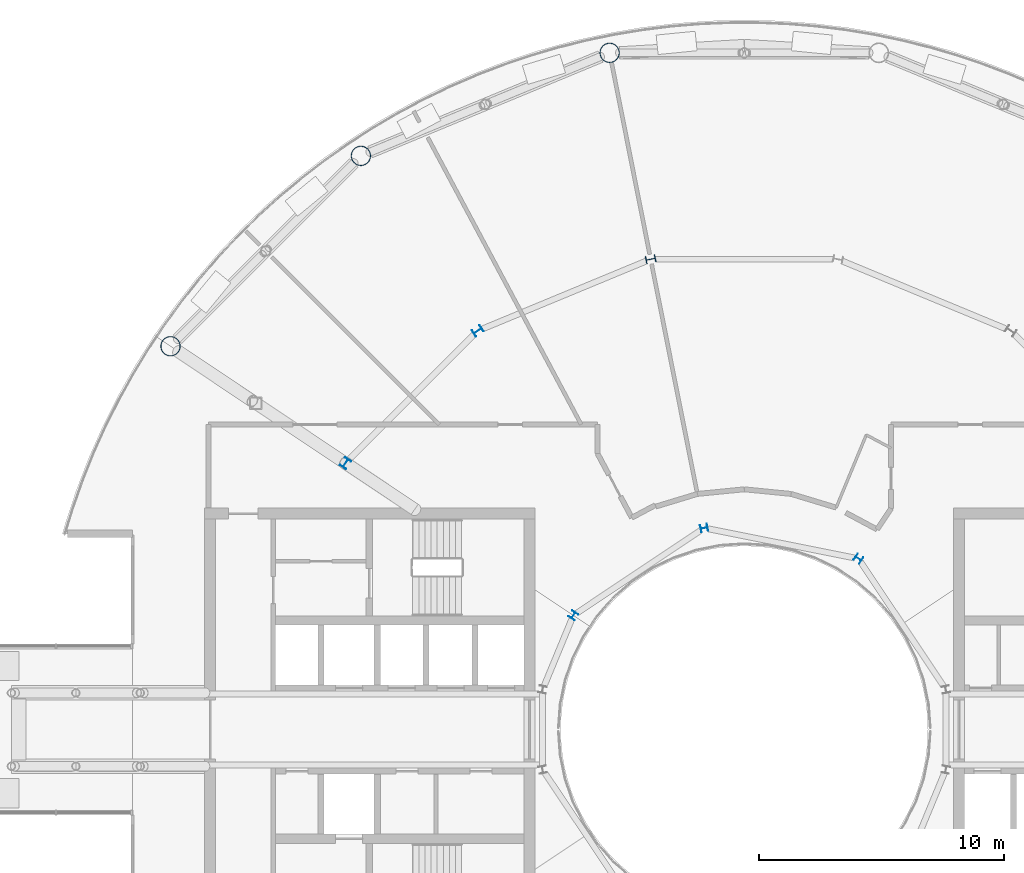
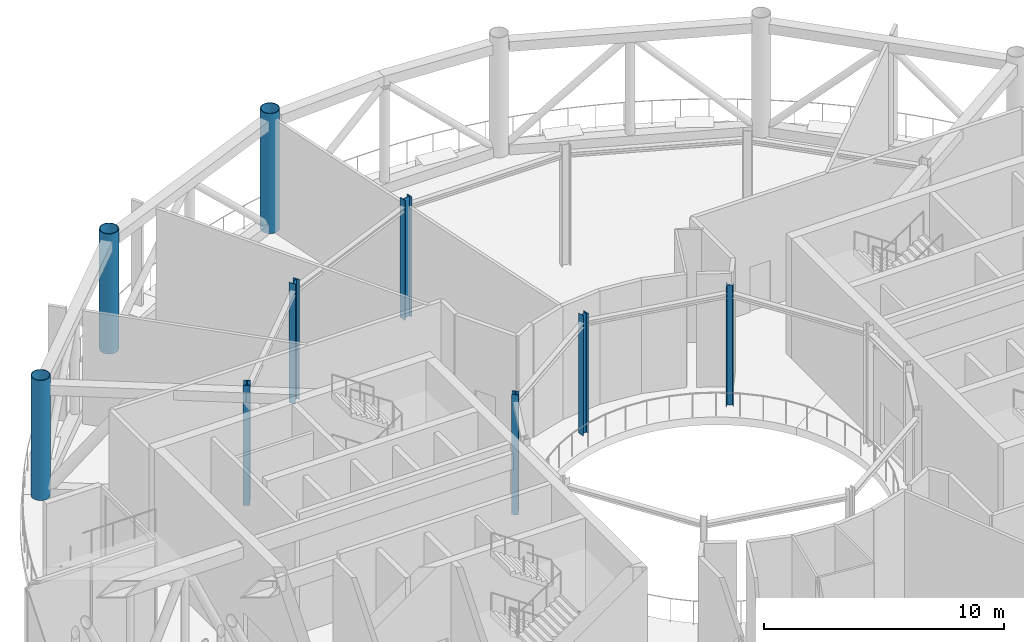
# One storey, part 3 of 24: 9 columns.
"""IFC4 building model written with IfcOpenShell, lengths in metres."""

from ifc_helpers import new_model, si_unit, direction, frame, origin, origin_2d, place, context, subcontext, project, spatial, hollow_circle, i_section, extrude, material, material_profile, profile_set, type_object, element, save


model = new_model("IFC4")

# Units and contexts
model_context = context("Model", 3, precision=1e-05, world=origin(), true_north=direction((0.0, 1.0)))
body_context = subcontext(model_context, "Body", "Model", "MODEL_VIEW")
ifc_project = project(units=[si_unit("LENGTHUNIT", "METRE"), si_unit("AREAUNIT", "SQUARE_METRE"), si_unit("VOLUMEUNIT", "CUBIC_METRE"), si_unit("PLANEANGLEUNIT", "RADIAN"), si_unit("MASSUNIT", "GRAM", prefix="KILO")], contexts=[model_context])

# Site, building, storey
site_placement = place(None, origin())
site = spatial("IfcSite", under=ifc_project, at=site_placement, CompositionType="ELEMENT")
building_placement = place(site_placement, origin())
building = spatial("IfcBuilding", under=site, at=building_placement, Name="Maasbend Ring Residences", CompositionType="ELEMENT")
storey_placement = place(building_placement, frame((0.0, 0.0, 221.85009765625)))
storey = spatial("IfcBuildingStorey", under=building, at=storey_placement, Name="L64", CompositionType="ELEMENT", Elevation=221.85009765625)

# Columns
ifc_material_1 = material(Name="Composite concrete-filled steel tube S460NH / C80/95", Category="concrete")
ifc_material_profile_1 = material_profile(ifc_material_1, hollow_circle(Radius=0.406494140625, WallThickness=0.030029296875, at=origin_2d()), Name="Composite tube column CHS 813x30")
ifc_profile_set_1 = profile_set([ifc_material_profile_1], Name="Composite concrete-filled steel tube S460NH / C80/95")
column_type_1 = type_object("IfcColumnType", Name="Composite tube column CHS 813x30", PredefinedType="COLUMN", material=ifc_profile_set_1)
for number, where, z_axis, x_axis, name in (
    (1, (-5.50146484375, 27.658203125, 0.0), (0.0, 0.0, 1.0), (1.0, 0.0, 0.0), "Outer column R5"),
    (2, (-15.6669921875, 23.447509765625, 0.0), (0.0, 0.0, 1.0), (1.0, 0.0, 0.0), "Outer column R6"),
    (3, (-23.447509765625, 15.6669921875, 0.0), (0.0, 0.0, 1.0), (1.0, 0.0, 0.0), "Outer column R7"),
):
    element("IfcColumn", number, at=place(storey_placement, frame(where, z_axis=z_axis, x_axis=x_axis)), inside=storey, type_object=column_type_1, Name=name, PredefinedType="COLUMN", context=body_context, shape_type="SweptSolid", body=[
        extrude(hollow_circle(Radius=0.406494140625, WallThickness=0.030029296875, at=origin_2d()), origin(), (0.0, 0.0, 1.0), 6.099853515625),
    ])
ifc_material_2 = material(Name="Steel S355J2", Category="steel")
ifc_material_profile_2 = material_profile(ifc_material_2, i_section(OverallWidth=0.300048828125, OverallDepth=0.2900390625, WebThickness=0.008544921875, FlangeThickness=0.013916015625, FilletRadius=0.027099609375, at=origin_2d()), Name="HEA 300")
ifc_profile_set_2 = profile_set([ifc_material_profile_2], Name="Steel S355J2")
column_type_2 = type_object("IfcColumnType", Name="Steel column HEA 300", PredefinedType="COLUMN", material=ifc_profile_set_2)
for number, where, z_axis, x_axis, name in (
    (4, (4.666748046875, 6.984375, 0.0), (0.0, 0.0, 1.0), (0.55557023302, 0.831469612303, 0.0), "Well ring column R3"),
    (5, (-1.638916015625, 8.238525390625, 0.0), (0.0, 0.0, 1.0), (-0.195090322016, 0.980785280403, 0.0), "Well ring column R5"),
    (6, (-6.984375, 4.666748046875, 0.0), (0.0, 0.0, 1.0), (-0.831469612303, 0.55557023302, 0.0), "Well ring column R7"),
):
    element("IfcColumn", number, at=place(storey_placement, frame(where, z_axis=z_axis, x_axis=x_axis)), inside=storey, type_object=column_type_2, Name=name, PredefinedType="COLUMN", context=body_context, shape_type="SweptSolid", body=[
        extrude(i_section(OverallWidth=0.300048828125, OverallDepth=0.2900390625, WebThickness=0.008544921875, FlangeThickness=0.013916015625, FilletRadius=0.027099609375, at=origin_2d()), origin(), (0.0, 0.0, 1.0), 6.099853515625),
    ])
ifc_material_3 = material(Name="Steel S355J2", Category="steel")
ifc_material_profile_3 = material_profile(ifc_material_3, i_section(OverallWidth=0.300048828125, OverallDepth=0.39990234375, WebThickness=0.013427734375, FlangeThickness=0.02392578125, FilletRadius=0.027099609375, at=origin_2d()), Name="HEB 400")
ifc_profile_set_3 = profile_set([ifc_material_profile_3], Name="Steel S355J2")
column_type_3 = type_object("IfcColumnType", Name="Steel column HEB 400", PredefinedType="COLUMN", material=ifc_profile_set_3)
for number, where, z_axis, x_axis, name in (
    (7, (-3.82373046875, 19.223388671875, 0.0), (0.0, 0.0, 1.0), (-0.195090322016, 0.980785280403, 0.0), "Corridor ring column R5"),
    (8, (-10.88916015625, 16.296875, 0.0), (0.0, 0.0, 1.0), (-0.55557023302, 0.831469612303, 0.0), "Corridor ring column R6"),
    (9, (-16.296875, 10.88916015625, 0.0), (0.0, 0.0, 1.0), (-0.831469612303, 0.55557023302, 0.0), "Corridor ring column R7"),
):
    element("IfcColumn", number, at=place(storey_placement, frame(where, z_axis=z_axis, x_axis=x_axis)), inside=storey, type_object=column_type_3, Name=name, PredefinedType="COLUMN", context=body_context, shape_type="SweptSolid", body=[
        extrude(i_section(OverallWidth=0.300048828125, OverallDepth=0.39990234375, WebThickness=0.013427734375, FlangeThickness=0.02392578125, FilletRadius=0.027099609375, at=origin_2d()), origin(), (0.0, 0.0, 1.0), 6.099853515625),
    ])

save(model, "model.ifc")
